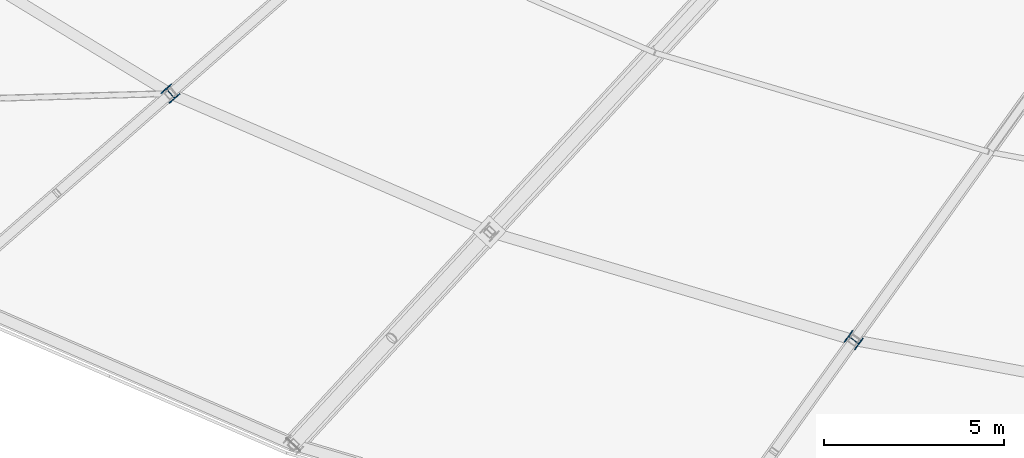
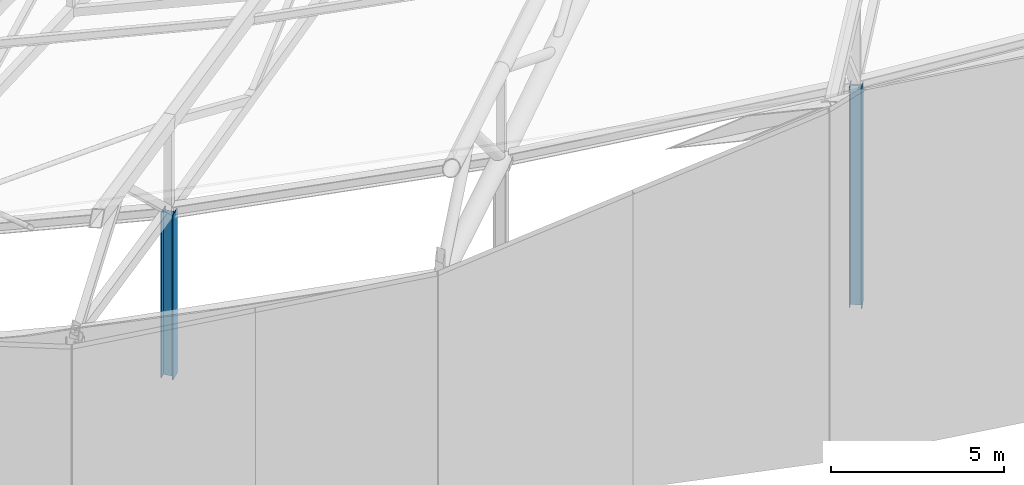
# One storey, part 2 of 143: 2 columns.
"""IFC4 building model written with IfcOpenShell, lengths in metres."""

from ifc_helpers import new_model, si_unit, direction, frame, origin, origin_2d, place, context, subcontext, project, spatial, i_section, extrude, material, material_profile, profile_set, type_object, element, save


model = new_model("IFC4")

# Units and contexts
model_context = context("Model", 3, precision=1e-05, world=origin(), true_north=direction((0.0, 1.0)))
body_context = subcontext(model_context, "Body", "Model", "MODEL_VIEW")
ifc_project = project(units=[si_unit("LENGTHUNIT", "METRE"), si_unit("AREAUNIT", "SQUARE_METRE"), si_unit("VOLUMEUNIT", "CUBIC_METRE"), si_unit("PLANEANGLEUNIT", "RADIAN"), si_unit("MASSUNIT", "GRAM", prefix="KILO")], contexts=[model_context])

# Site, building, storey
site_placement = place(None, origin())
site = spatial("IfcSite", under=ifc_project, at=site_placement, CompositionType="ELEMENT")
building_placement = place(site_placement, origin())
building = spatial("IfcBuilding", under=site, at=building_placement, Name="Mphavela Belvedere Stadium", CompositionType="ELEMENT")
storey_placement = place(building_placement, frame((0.0, 0.0, 28.800048828125)))
storey = spatial("IfcBuildingStorey", under=building, at=storey_placement, Name="RF", CompositionType="ELEMENT", Elevation=28.800048828125)

# Columns
ifc_material = material(Name="Steel S355", Category="steel")
ifc_material_profile = material_profile(ifc_material, i_section(OverallWidth=0.39501953125, OverallDepth=0.3798828125, WebThickness=0.0166015625, FlangeThickness=0.02587890625, at=origin_2d()), Name="HD 400x237")
ifc_profile_set = profile_set([ifc_material_profile], Name="Steel S355")
column_type = type_object("IfcColumnType", Name="COL-STEEL-HD400", PredefinedType="COLUMN", material=ifc_profile_set)
column_1_placement = place(storey_placement, frame((50.639892578125, 30.68310546875, 0.0), z_axis=(0.0, 0.0, 1.0), x_axis=(-0.752529860433, -0.658558128912, 0.0)))
element("IfcColumn", 1, at=column_1_placement, inside=storey, type_object=column_type, Name="Roof truss inner support column RF R3-32", PredefinedType="COLUMN", context=body_context, shape_type="SweptSolid", body=[
    extrude(i_section(OverallWidth=0.39501953125, OverallDepth=0.3798828125, WebThickness=0.0166015625, FlangeThickness=0.02587890625, at=origin_2d()), origin(), (0.0, 0.0, 1.0), 5.832275390625),
])
column_2_placement = place(storey_placement, frame((69.662109375, 23.822509765625, 0.0), z_axis=(0.0, 0.0, 1.0), x_axis=(-0.582974127943, -0.812490717577, 0.0)))
element("IfcColumn", 2, at=column_2_placement, inside=storey, type_object=column_type, Name="Roof truss inner support column RF R3-34", PredefinedType="COLUMN", context=body_context, shape_type="SweptSolid", body=[
    extrude(i_section(OverallWidth=0.39501953125, OverallDepth=0.3798828125, WebThickness=0.0166015625, FlangeThickness=0.02587890625, at=origin_2d()), origin(), (0.0, 0.0, 1.0), 7.791259765625),
])

save(model, "model.ifc")
